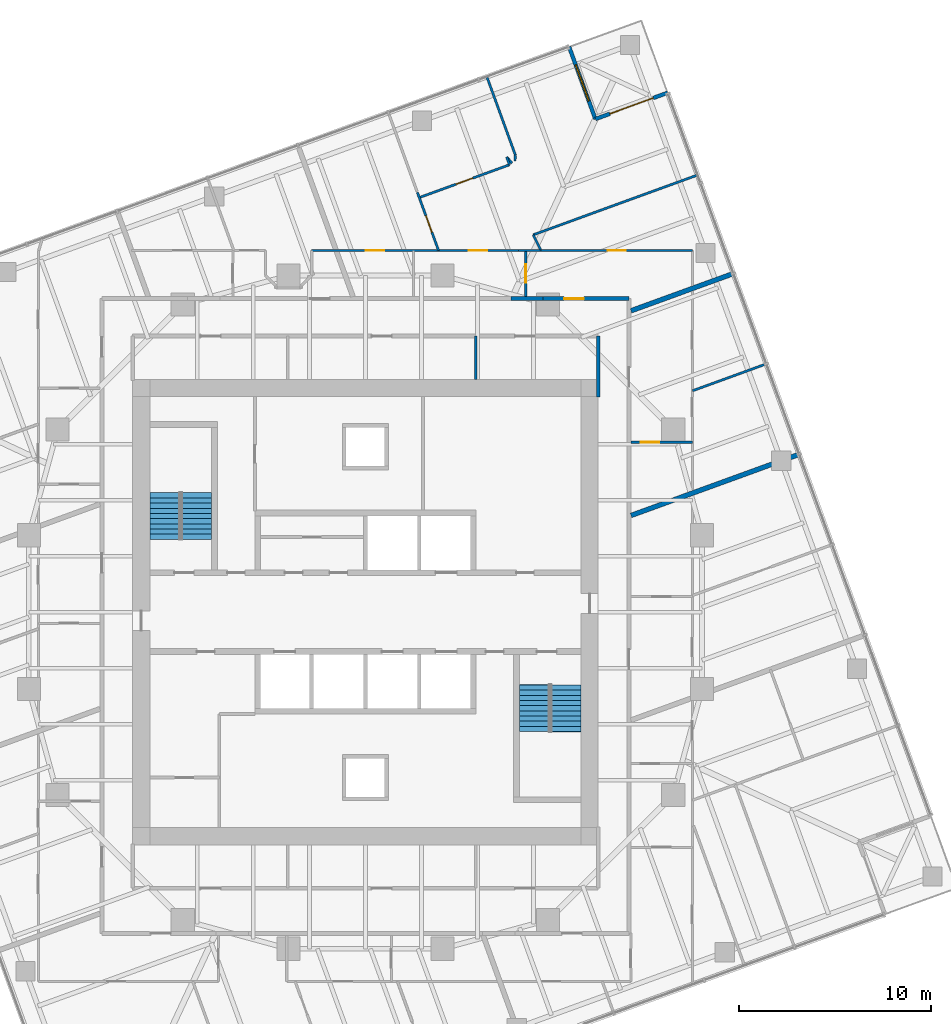
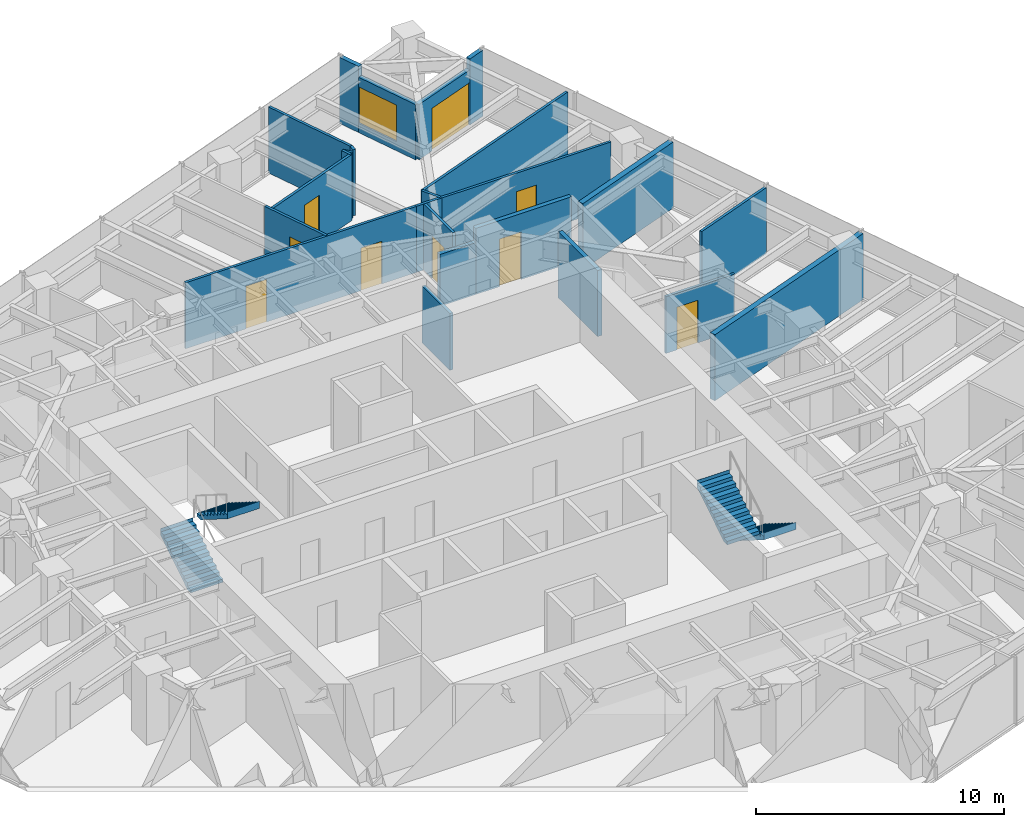
# One storey, part 12 of 13: 24 walls, 9 doors, 4 stair flights, 1 window, 10 openings, 2 elements without a shape of their own.
"""IFC4 building model written with IfcOpenShell, lengths in metres."""

from ifc_helpers import new_model, si_unit, direction, frame, frame_2d, origin, place, context, subcontext, project, spatial, polyline, rectangle, outline, extrude, material, layer, layer_set, type_object, element, fill, aggregate, save


model = new_model("IFC4")

# Units and contexts
model_context = context("Model", 3, precision=1e-05, world=origin(), true_north=direction((0.0, 1.0)))
body_context = subcontext(model_context, "Body", "Model", "MODEL_VIEW")
ifc_project = project(units=[si_unit("LENGTHUNIT", "METRE"), si_unit("AREAUNIT", "SQUARE_METRE"), si_unit("VOLUMEUNIT", "CUBIC_METRE"), si_unit("PLANEANGLEUNIT", "RADIAN"), si_unit("MASSUNIT", "GRAM", prefix="KILO")], contexts=[model_context])

# Site, building, storey
site_placement = place(None, origin())
site = spatial("IfcSite", under=ifc_project, at=site_placement, CompositionType="ELEMENT")
building_placement = place(site_placement, origin())
building = spatial("IfcBuilding", under=site, at=building_placement, Name="Torsade Residences", CompositionType="ELEMENT")
storey_placement = place(building_placement, frame((0.0, 0.0, 150.60009765625)))
storey = spatial("IfcBuildingStorey", under=building, at=storey_placement, Name="L41", CompositionType="ELEMENT", Elevation=150.60009765625)

# Wall, opening, door
ifc_material_1 = material(Name="Plasterboard on steel stud", Category="steel")
ifc_layer_1 = layer(ifc_material_1, 0.199951171875)
ifc_layer_set_1 = layer_set([ifc_layer_1], Name="Plasterboard on steel stud")
wall_type_1 = type_object("IfcWallType", Name="CORRIDOR WALL 200", PredefinedType="PARTITIONING", material=ifc_layer_set_1)
wall_1_placement = place(storey_placement, frame((53.699951171875, 46.300048828125, 0.0), z_axis=(0.0, 0.0, 1.0), x_axis=(-1.0, 0.0, 0.0)))
wall_1 = element("IfcWall", 1, at=wall_1_placement, inside=storey, type_object=wall_type_1, Name="Corridor wall L41", PredefinedType="PARTITIONING", context=body_context, shape_type="SweptSolid", body=[
    extrude(rectangle(XDim=4.458251953125, YDim=0.199951171875, at=frame_2d((2.22900390625, 0.0))), origin(), (0.0, 0.0, 1.0), 3.25),
])
opening_1_placement = place(wall_1_placement, frame((2.34716796875, 0.0, 0.0)))
opening_1 = element("IfcOpeningElement", 2, at=opening_1_placement, cuts=wall_1, Name="Opening D01", PredefinedType="OPENING", context=body_context, shape_type="SweptSolid", body=[
    extrude(rectangle(XDim=1.02001953125, YDim=2.340087890625, at=frame_2d((0.510009765625, 1.169921875))), frame((0.0, 0.10986328125, 0.0), z_axis=(0.0, -1.0, 0.0), x_axis=(1.0, 0.0, 0.0)), (0.0, 0.0, 1.0), 0.219970703125),
])
ifc_material_2 = material(Name="Solid-core timber fire door", Category="wood")
door_type_1 = type_object("IfcDoorType", Name="APARTMENT ENTRY DOOR 1020x2340", OperationType="NOTDEFINED", PredefinedType="DOOR", material=ifc_material_2)
door_1_placement = place(opening_1_placement, origin())
door_1 = element("IfcDoor", 3, at=door_1_placement, inside=storey, type_object=door_type_1, Name="Door Residential corridor to Kitchen and dining", OperationType="SINGLE_SWING_RIGHT", OverallHeight=2.340087890625, OverallWidth=1.02001953125, PredefinedType="DOOR", context=body_context, shape_type="SweptSolid", body=[
    extrude(rectangle(XDim=1.02001953125, YDim=2.340087890625, at=frame_2d((0.510009765625, 1.169921875))), frame((0.0, 0.02490234375, 0.0), z_axis=(0.0, -1.0, 0.0), x_axis=(1.0, 0.0, 0.0)), (0.0, 0.0, 1.0), 0.050048828125),
])
fill(opening_1, door_1)

# Walls
wall_2_placement = place(storey_placement, frame((49.24169921875, 46.300048828125, 0.0), z_axis=(0.0, 0.0, 1.0), x_axis=(-1.0, 0.0, 0.0)))
element("IfcWall", 4, at=wall_2_placement, inside=storey, type_object=wall_type_1, Name="Corridor wall L41", PredefinedType="PARTITIONING", context=body_context, shape_type="SweptSolid", body=[
    extrude(rectangle(XDim=1.683349609375, YDim=0.199951171875, at=frame_2d((0.841796875, 0.0))), origin(), (0.0, 0.0, 1.0), 2.5498046875),
])
wall_3_placement = place(storey_placement, frame((52.10009765625, 41.179931640625, 0.0), z_axis=(0.0, 0.0, 1.0), x_axis=(0.0, 1.0, 0.0)))
element("IfcWall", 5, at=wall_3_placement, inside=storey, type_object=wall_type_1, Name="Corridor wall L41", PredefinedType="PARTITIONING", context=body_context, shape_type="SweptSolid", body=[
    extrude(rectangle(XDim=3.170166015625, YDim=0.199951171875, at=frame_2d((1.5849609375, 0.0))), origin(), (0.0, 0.0, 1.0), 3.25),
])

# Wall, opening, door
ifc_material_3 = material(Name="Plasterboard on steel stud", Category="steel")
ifc_layer_2 = layer(ifc_material_3, 0.1201171875)
ifc_layer_set_2 = layer_set([ifc_layer_2], Name="Plasterboard on steel stud")
wall_type_2 = type_object("IfcWallType", Name="PARTITION 120", PredefinedType="PARTITIONING", material=ifc_layer_set_2)
wall_4_placement = place(storey_placement, frame((57.0, 38.834716796875, 0.0), z_axis=(0.0, 0.0, 1.0), x_axis=(-1.0, 0.0, 0.0)))
wall_4 = element("IfcWall", 6, at=wall_4_placement, inside=storey, type_object=wall_type_2, Name="Partition L41", PredefinedType="PARTITIONING", context=body_context, shape_type="SweptSolid", body=[
    extrude(rectangle(XDim=3.199951171875, YDim=0.1201171875, at=frame_2d((1.60009765625, 0.0))), origin(), (0.0, 0.0, 1.0), 2.7958984375),
])
opening_2_placement = place(wall_4_placement, frame((1.719970703125, 0.0, 0.0)))
opening_2 = element("IfcOpeningElement", 7, at=opening_2_placement, cuts=wall_4, Name="Opening D05", PredefinedType="OPENING", context=body_context, shape_type="SweptSolid", body=[
    extrude(rectangle(XDim=0.9599609375, YDim=2.10009765625, at=frame_2d((0.47998046875, 1.050048828125))), frame((0.0, 0.070068359375, 0.0), z_axis=(0.0, -1.0, 0.0), x_axis=(1.0, 0.0, 0.0)), (0.0, 0.0, 1.0), 0.14013671875),
])
ifc_material_4 = material(Name="Hollow-core timber door in a steel cavity frame", Category="steel")
door_type_2 = type_object("IfcDoorType", Name="BATHROOM CAVITY SLIDING DOOR 960", OperationType="SLIDING_TO_LEFT", PredefinedType="DOOR", material=ifc_material_4)
door_2_placement = place(opening_2_placement, origin())
door_2 = element("IfcDoor", 8, at=door_2_placement, inside=storey, type_object=door_type_2, Name="Door Kitchen and dining to Bathroom", OperationType="SLIDING_TO_LEFT", OverallHeight=2.10009765625, OverallWidth=0.9599609375, PredefinedType="DOOR", context=body_context, shape_type="SweptSolid", body=[
    extrude(rectangle(XDim=0.9599609375, YDim=2.10009765625, at=frame_2d((0.47998046875, 1.050048828125))), frame((0.0, 0.02490234375, 0.0), z_axis=(0.0, -1.0, 0.0), x_axis=(1.0, 0.0, 0.0)), (0.0, 0.0, 1.0), 0.050048828125),
])
fill(opening_2, door_2)

# Wall
wall_5_placement = place(storey_placement, frame((57.0, 41.50830078125, 0.0), z_axis=(0.0, 0.0, 1.0), x_axis=(0.939682468191, 0.342048036063, 0.0)))
element("IfcWall", 9, at=wall_5_placement, inside=storey, type_object=wall_type_2, Name="Partition L41", PredefinedType="PARTITIONING", context=body_context, shape_type="SweptSolid", body=[
    extrude(rectangle(XDim=4.049072265625, YDim=0.1201171875, at=frame_2d((2.0244140625, 0.0))), origin(), (0.0, 0.0, 1.0), 3.25),
])

# Wall, opening, door
wall_6_placement = place(storey_placement, frame((48.335693359375, 46.39990234375, 0.0), z_axis=(0.0, 0.0, 1.0), x_axis=(0.0, 1.0, 0.0)))
wall_6 = element("IfcWall", 10, at=wall_6_placement, inside=storey, type_object=wall_type_2, Name="Partition L41", PredefinedType="PARTITIONING", context=body_context, shape_type="SweptSolid", body=[
    extrude(rectangle(XDim=2.400146484375, YDim=0.1201171875, at=frame_2d((1.2001953125, 0.0))), origin(), (0.0, 0.0, 1.0), 3.25),
])
opening_3_placement = place(wall_6_placement, frame((0.719970703125, 0.0, 0.0)))
opening_3 = element("IfcOpeningElement", 11, at=opening_3_placement, cuts=wall_6, Name="Opening D05", PredefinedType="OPENING", context=body_context, shape_type="SweptSolid", body=[
    extrude(rectangle(XDim=0.9599609375, YDim=2.10009765625, at=frame_2d((0.47998046875, 1.050048828125))), frame((0.0, 0.070068359375, 0.0), z_axis=(0.0, -1.0, 0.0), x_axis=(1.0, 0.0, 0.0)), (0.0, 0.0, 1.0), 0.14013671875),
])
door_3_placement = place(opening_3_placement, origin())
door_3 = element("IfcDoor", 12, at=door_3_placement, inside=storey, type_object=door_type_2, Name="Door Kitchen and dining to Bathroom", OperationType="SLIDING_TO_LEFT", OverallHeight=2.10009765625, OverallWidth=0.9599609375, PredefinedType="DOOR", context=body_context, shape_type="SweptSolid", body=[
    extrude(rectangle(XDim=0.9599609375, YDim=2.10009765625, at=frame_2d((0.47998046875, 1.050048828125))), frame((0.0, 0.02490234375, 0.0), z_axis=(0.0, -1.0, 0.0), x_axis=(1.0, 0.0, 0.0)), (0.0, 0.0, 1.0), 0.050048828125),
])
fill(opening_3, door_3)

wall_7_placement = place(storey_placement, frame((49.125732421875, 48.800048828125, 0.0), z_axis=(0.0, 0.0, 1.0), x_axis=(1.0, 0.0, 0.0)))
wall_7 = element("IfcWall", 13, at=wall_7_placement, inside=storey, type_object=wall_type_2, Name="Partition L41", PredefinedType="PARTITIONING", context=body_context, shape_type="SweptSolid", body=[
    extrude(rectangle(XDim=7.874267578125, YDim=0.1201171875, at=frame_2d((3.93701171875, 0.0))), origin(), (0.0, 0.0, 1.0), 3.25),
])
opening_4_placement = place(wall_7_placement, frame((3.477294921875, 0.0, 0.0)))
opening_4 = element("IfcOpeningElement", 14, at=opening_4_placement, cuts=wall_7, Name="Opening D02", PredefinedType="OPENING", context=body_context, shape_type="SweptSolid", body=[
    extrude(rectangle(XDim=0.919921875, YDim=2.340087890625, at=frame_2d((0.4599609375, 1.169921875))), frame((0.0, 0.070068359375, 0.0), z_axis=(0.0, -1.0, 0.0), x_axis=(1.0, 0.0, 0.0)), (0.0, 0.0, 1.0), 0.14013671875),
])
ifc_material_5 = material(Name="Hollow-core timber door", Category="wood")
door_type_3 = type_object("IfcDoorType", Name="INTERNAL DOOR 920x2340", OperationType="NOTDEFINED", PredefinedType="DOOR", material=ifc_material_5)
door_4_placement = place(opening_4_placement, origin())
door_4 = element("IfcDoor", 15, at=door_4_placement, inside=storey, type_object=door_type_3, Name="Door Kitchen and dining to Bedroom 2", OperationType="SINGLE_SWING_RIGHT", OverallHeight=2.340087890625, OverallWidth=0.919921875, PredefinedType="DOOR", context=body_context, shape_type="SweptSolid", body=[
    extrude(rectangle(XDim=0.919921875, YDim=2.340087890625, at=frame_2d((0.4599609375, 1.169921875))), frame((0.0, 0.02490234375, 0.0), z_axis=(0.0, -1.0, 0.0), x_axis=(1.0, 0.0, 0.0)), (0.0, 0.0, 1.0), 0.050048828125),
])
fill(opening_4, door_4)

# Wall, openings, doors
wall_8_placement = place(storey_placement, frame((37.199951171875, 48.800048828125, 0.0), z_axis=(0.0, 0.0, 1.0), x_axis=(1.0, 0.0, 0.0)))
wall_8 = element("IfcWall", 16, at=wall_8_placement, inside=storey, type_object=wall_type_2, Name="Partition L41", PredefinedType="PARTITIONING", context=body_context, shape_type="SweptSolid", body=[
    extrude(rectangle(XDim=10.744873046875, YDim=0.1201171875, at=frame_2d((5.37255859375, 0.0))), origin(), (0.0, 0.0, 1.0), 3.25),
])
opening_5_placement = place(wall_8_placement, frame((8.165283203125, 0.0, 0.0)))
opening_5 = element("IfcOpeningElement", 17, at=opening_5_placement, cuts=wall_8, Name="Opening D05", PredefinedType="OPENING", context=body_context, shape_type="SweptSolid", body=[
    extrude(rectangle(XDim=0.9599609375, YDim=2.10009765625, at=frame_2d((0.47998046875, 1.050048828125))), frame((0.0, 0.070068359375, 0.0), z_axis=(0.0, -1.0, 0.0), x_axis=(1.0, 0.0, 0.0)), (0.0, 0.0, 1.0), 0.14013671875),
])
opening_6_placement = place(wall_8_placement, frame((2.8095703125, 0.0, 0.0)))
opening_6 = element("IfcOpeningElement", 18, at=opening_6_placement, cuts=wall_8, Name="Opening D05", PredefinedType="OPENING", context=body_context, shape_type="SweptSolid", body=[
    extrude(rectangle(XDim=0.9599609375, YDim=2.10009765625, at=frame_2d((0.47998046875, 1.050048828125))), frame((0.0, 0.070068359375, 0.0), z_axis=(0.0, -1.0, 0.0), x_axis=(1.0, 0.0, 0.0)), (0.0, 0.0, 1.0), 0.14013671875),
])
door_5_placement = place(opening_5_placement, origin())
door_5 = element("IfcDoor", 19, at=door_5_placement, inside=storey, type_object=door_type_2, Name="Door Bathroom to Living room", OperationType="SLIDING_TO_LEFT", OverallHeight=2.10009765625, OverallWidth=0.9599609375, PredefinedType="DOOR", context=body_context, shape_type="SweptSolid", body=[
    extrude(rectangle(XDim=0.9599609375, YDim=2.10009765625, at=frame_2d((0.47998046875, 1.050048828125))), frame((0.0, 0.02490234375, 0.0), z_axis=(0.0, -1.0, 0.0), x_axis=(1.0, 0.0, 0.0)), (0.0, 0.0, 1.0), 0.050048828125),
])
fill(opening_5, door_5)
door_6_placement = place(opening_6_placement, origin())
door_6 = element("IfcDoor", 20, at=door_6_placement, inside=storey, type_object=door_type_2, Name="Door Bedroom 1 to Ensuite", OperationType="SLIDING_TO_LEFT", OverallHeight=2.10009765625, OverallWidth=0.9599609375, PredefinedType="DOOR", context=body_context, shape_type="SweptSolid", body=[
    extrude(rectangle(XDim=0.9599609375, YDim=2.10009765625, at=frame_2d((0.47998046875, 1.050048828125))), frame((0.0, 0.02490234375, 0.0), z_axis=(0.0, -1.0, 0.0), x_axis=(1.0, 0.0, 0.0)), (0.0, 0.0, 1.0), 0.050048828125),
])
fill(opening_6, door_6)

# Wall, opening, door
wall_9_placement = place(storey_placement, frame((43.799072265625, 48.800048828125, 0.0), z_axis=(0.0, 0.0, 1.0), x_axis=(-0.342034943783, 0.939687233728, 0.0)))
wall_9 = element("IfcWall", 21, at=wall_9_placement, inside=storey, type_object=wall_type_2, Name="Partition L41", PredefinedType="PARTITIONING", context=body_context, shape_type="SweptSolid", body=[
    extrude(rectangle(XDim=3.223388671875, YDim=0.1201171875, at=frame_2d((1.61181640625, 0.0))), origin(), (0.0, 0.0, 1.0), 3.25),
])
opening_7_placement = place(wall_9_placement, frame((1.00390625, 0.0, 0.0)))
opening_7 = element("IfcOpeningElement", 22, at=opening_7_placement, cuts=wall_9, Name="Opening D02", PredefinedType="OPENING", context=body_context, shape_type="SweptSolid", body=[
    extrude(rectangle(XDim=0.919921875, YDim=2.340087890625, at=frame_2d((0.4599609375, 1.169921875))), frame((0.0, 0.070068359375, 0.0), z_axis=(0.0, -1.0, 0.0), x_axis=(1.0, 0.0, 0.0)), (0.0, 0.0, 1.0), 0.14013671875),
])
door_7_placement = place(opening_7_placement, origin())
door_7 = element("IfcDoor", 23, at=door_7_placement, inside=storey, type_object=door_type_3, Name="Door Living room to Bedroom 1", OperationType="SINGLE_SWING_LEFT", OverallHeight=2.340087890625, OverallWidth=0.919921875, PredefinedType="DOOR", context=body_context, shape_type="SweptSolid", body=[
    extrude(rectangle(XDim=0.919921875, YDim=2.340087890625, at=frame_2d((0.4599609375, 1.169921875))), frame((0.0, 0.02490234375, 0.0), z_axis=(0.0, -1.0, 0.0), x_axis=(1.0, 0.0, 0.0)), (0.0, 0.0, 1.0), 0.050048828125),
])
fill(opening_7, door_7)

# Walls
wall_10_placement = place(storey_placement, frame((57.230712890625, 52.713134765625, 0.0), z_axis=(0.0, 0.0, 1.0), x_axis=(-0.939692673089, -0.342019999623, 0.0)))
element("IfcWall", 24, at=wall_10_placement, inside=storey, type_object=wall_type_2, Name="Partition L41", PredefinedType="PARTITIONING", context=body_context, shape_type="SweptSolid", body=[
    extrude(rectangle(XDim=9.059814453125, YDim=0.1201171875, at=frame_2d((4.52978515625, 0.0))), origin(), (0.0, 0.0, 1.0), 3.25),
])
wall_11_placement = place(storey_placement, frame((48.71728515625, 49.614501953125, 0.0), z_axis=(0.0, 0.0, 1.0), x_axis=(0.448117513314, -0.893974660861, 0.0)))
element("IfcWall", 25, at=wall_11_placement, inside=storey, type_object=wall_type_2, Name="Partition L41", PredefinedType="PARTITIONING", context=body_context, shape_type="SweptSolid", body=[
    extrude(rectangle(XDim=0.864013671875, YDim=0.1201171875, at=frame_2d((0.43212890625, 0.0))), origin(), (0.0, 0.0, 1.0), 3.25),
])

# Wall, opening, door
wall_12_placement = place(storey_placement, frame((42.7978515625, 51.55126953125, 0.0), z_axis=(0.0, 0.0, 1.0), x_axis=(0.939699104319, 0.342002329438, 0.0)))
wall_12 = element("IfcWall", 26, at=wall_12_placement, inside=storey, type_object=wall_type_2, Name="Partition L41", PredefinedType="PARTITIONING", context=body_context, shape_type="SweptSolid", body=[
    extrude(rectangle(XDim=4.98974609375, YDim=0.1201171875, at=frame_2d((2.494873046875, 0.0))), origin(), (0.0, 0.0, 1.0), 3.25),
])
opening_8_placement = place(wall_12_placement, frame((2.034912109375, 0.0, 0.0)))
opening_8 = element("IfcOpeningElement", 27, at=opening_8_placement, cuts=wall_12, Name="Opening D02", PredefinedType="OPENING", context=body_context, shape_type="SweptSolid", body=[
    extrude(rectangle(XDim=0.919921875, YDim=2.340087890625, at=frame_2d((0.4599609375, 1.169921875))), frame((0.0, 0.070068359375, 0.0), z_axis=(0.0, -1.0, 0.0), x_axis=(1.0, 0.0, 0.0)), (0.0, 0.0, 1.0), 0.14013671875),
])
door_8_placement = place(opening_8_placement, origin())
door_8 = element("IfcDoor", 28, at=door_8_placement, inside=storey, type_object=door_type_3, Name="Door Living room to Bedroom 3", OperationType="SINGLE_SWING_RIGHT", OverallHeight=2.340087890625, OverallWidth=0.919921875, PredefinedType="DOOR", context=body_context, shape_type="SweptSolid", body=[
    extrude(rectangle(XDim=0.919921875, YDim=2.340087890625, at=frame_2d((0.4599609375, 1.169921875))), frame((0.0, 0.02490234375, 0.0), z_axis=(0.0, -1.0, 0.0), x_axis=(1.0, 0.0, 0.0)), (0.0, 0.0, 1.0), 0.050048828125),
])
fill(opening_8, door_8)

# Walls
for number, where, z_axis, x_axis, name in (
    (29, (47.48681640625, 53.2578125, 0.0), (0.0, 0.0, 1.0), (-0.341833643998, 0.939760480033, 0.0), "Partition L41"),
    (30, (47.343994140625, 53.66748046875, 0.0), (0.0, 0.0, 1.0), (0.638629337621, -0.769514502222, 0.0), "Partition L41"),
):
    element("IfcWall", number, at=place(storey_placement, frame(where, z_axis=z_axis, x_axis=x_axis)), inside=storey, type_object=wall_type_2, Name=name, PredefinedType="PARTITIONING", context=body_context, shape_type="SweptSolid", body=[
        extrude(rectangle(XDim=0.432861328125, YDim=0.1201171875, at=frame_2d((0.21630859375, 0.0))), origin(), (0.0, 0.0, 1.0), 3.25),
    ])
wall_13_placement = place(storey_placement, frame((47.768798828125, 53.457763671875, 0.0), z_axis=(0.0, 0.0, 1.0), x_axis=(0.093212941297, 0.995646195983, 0.0)))
element("IfcWall", 31, at=wall_13_placement, inside=storey, type_object=wall_type_2, Name="Partition L41", PredefinedType="PARTITIONING", context=body_context, shape_type="SweptSolid", body=[
    extrude(rectangle(XDim=0.2958984375, YDim=0.1201171875, at=frame_2d((0.14794921875, 0.0))), origin(), (0.0, 0.0, 1.0), 3.25),
])
wall_14_placement = place(storey_placement, frame((47.79638671875, 53.75244140625, 0.0), z_axis=(0.0, 0.0, 1.0), x_axis=(-0.342011603146, 0.939695729113, 0.0)))
element("IfcWall", 32, at=wall_14_placement, inside=storey, type_object=wall_type_2, Name="Partition L41", PredefinedType="PARTITIONING", context=body_context, shape_type="SweptSolid", body=[
    extrude(rectangle(XDim=4.306640625, YDim=0.1201171875, at=frame_2d((2.1533203125, 0.0))), origin(), (0.0, 0.0, 1.0), 3.25),
])
wall_15_placement = place(storey_placement, frame((49.125732421875, 48.800048828125, 0.0), z_axis=(0.0, 0.0, 1.0), x_axis=(-1.0, 0.0, 0.0)))
element("IfcWall", 33, at=wall_15_placement, inside=storey, type_object=wall_type_2, Name="Partition L41", PredefinedType="PARTITIONING", context=body_context, shape_type="SweptSolid", body=[
    extrude(rectangle(XDim=1.180908203125, YDim=0.1201171875, at=frame_2d((0.59033203125, 0.0))), origin(), (0.0, 0.0, 1.0), 3.25),
])
ifc_material_6 = material(Name="Masonry-lined stud party wall", Category="masonry")
ifc_layer_3 = layer(ifc_material_6, 0.25)
ifc_layer_set_3 = layer_set([ifc_layer_3], Name="Masonry-lined stud party wall")
wall_type_3 = type_object("IfcWallType", Name="PARTY WALL 250", PredefinedType="PARTITIONING", material=ifc_layer_set_3)
wall_16_placement = place(storey_placement, frame((62.552734375, 38.20849609375, 0.0), z_axis=(0.0, 0.0, 1.0), x_axis=(-0.939693071685, -0.342018904489, 0.0)))
element("IfcWall", 34, at=wall_16_placement, inside=storey, type_object=wall_type_3, Name="Party wall L41", PredefinedType="PARTITIONING", context=body_context, shape_type="SweptSolid", body=[
    extrude(rectangle(XDim=9.308837890625, YDim=0.25, at=frame_2d((4.654296875, 0.0))), origin(), (0.0, 0.0, 1.0), 3.25),
])
wall_17_placement = place(storey_placement, frame((59.13232421875, 47.60546875, 0.0), z_axis=(0.0, 0.0, 1.0), x_axis=(-0.939690274876, -0.342026588591, 0.0)))
element("IfcWall", 35, at=wall_17_placement, inside=storey, type_object=wall_type_3, Name="Party wall L41", PredefinedType="PARTITIONING", context=body_context, shape_type="SweptSolid", body=[
    extrude(rectangle(XDim=5.6689453125, YDim=0.25, at=frame_2d((2.83447265625, 0.0))), origin(), (0.0, 0.0, 1.0), 3.25),
])
ifc_material_7 = material(Name="Reinforced blockwork", Category="masonry")
ifc_layer_4 = layer(ifc_material_7, 0.14990234375)
ifc_layer_set_4 = layer_set([ifc_layer_4], Name="Reinforced blockwork")
wall_type_4 = type_object("IfcWallType", Name="SERVICE ROOM WALL 150", PredefinedType="SOLIDWALL", material=ifc_layer_set_4)
wall_18_placement = place(storey_placement, frame((45.7353515625, 42.10009765625, 0.0), z_axis=(0.0, 0.0, 1.0), x_axis=(0.0, 1.0, 0.0)))
element("IfcWall", 36, at=wall_18_placement, inside=storey, type_object=wall_type_4, Name="Service room wall L41", PredefinedType="SOLIDWALL", context=body_context, shape_type="SweptSolid", body=[
    extrude(rectangle(XDim=2.25, YDim=0.14990234375, at=frame_2d((1.125, 0.0))), origin(), (0.0, 0.0, 1.0), 2.7958984375),
])
ifc_material_8 = material(Name="Stone-faced precast concrete 40 MPa panel", Category="masonry")
ifc_layer_5 = layer(ifc_material_8, 0.199951171875)
ifc_layer_set_5 = layer_set([ifc_layer_5], Name="Stone-faced precast concrete 40 MPa panel")
wall_type_5 = type_object("IfcWallType", Name="TERRACE WALL 200", PredefinedType="SOLIDWALL", material=ifc_layer_set_5)
wall_19_placement = place(storey_placement, frame((55.712158203125, 57.00244140625, 0.0), z_axis=(0.0, 0.0, 1.0), x_axis=(-0.939659694648, -0.342110593602, 0.0)))
element("IfcWall", 37, at=wall_19_placement, inside=storey, type_object=wall_type_5, Name="Terrace wall L41 5", PredefinedType="SOLIDWALL", context=body_context, shape_type="SweptSolid", body=[
    extrude(rectangle(XDim=0.800048828125, YDim=0.199951171875, at=frame_2d((0.39990234375, 0.0))), origin(), (0.0, 0.0, 1.0), 3.25),
])

# Wall, opening, door
wall_20_placement = place(storey_placement, frame((54.96044921875, 56.728759765625, 0.0), z_axis=(0.0, 0.0, 1.0), x_axis=(-0.939693144909, -0.342018703306, 0.0)))
wall_20 = element("IfcWall", 38, at=wall_20_placement, inside=storey, type_object=wall_type_5, Name="Terrace wall L41 5", PredefinedType="SOLIDWALL", context=body_context, shape_type="SweptSolid", body=[
    extrude(rectangle(XDim=3.199951171875, YDim=0.199951171875, at=frame_2d((1.60009765625, 0.0))), origin(), (0.0, 0.0, 1.0), 2.721923828125),
])
opening_9_placement = place(wall_20_placement, origin())
opening_9 = element("IfcOpeningElement", 39, at=opening_9_placement, cuts=wall_20, Name="Opening D10A", PredefinedType="OPENING", context=body_context, shape_type="SweptSolid", body=[
    extrude(rectangle(XDim=2.39990234375, YDim=2.10009765625, at=frame_2d((1.199951171875, 1.050048828125))), frame((0.0, 0.10986328125, 0.0), z_axis=(0.0, -1.0, 0.0), x_axis=(1.0, 0.0, 0.0)), (0.0, 0.0, 1.0), 0.219970703125),
])
ifc_material_9 = material(Name="Aluminium-framed glass door", Category="aluminium")
door_type_4 = type_object("IfcDoorType", Name="TERRACE SLIDING DOOR 2400x2100", OperationType="SLIDING_TO_LEFT", PredefinedType="DOOR", material=ifc_material_9)
door_9_placement = place(opening_9_placement, origin())
door_9 = element("IfcDoor", 40, at=door_9_placement, inside=storey, type_object=door_type_4, Name="Terrace door L41 5", OperationType="SLIDING_TO_LEFT", OverallHeight=2.10009765625, OverallWidth=2.39990234375, PredefinedType="DOOR", context=body_context, shape_type="SweptSolid", body=[
    extrude(rectangle(XDim=2.39990234375, YDim=2.10009765625, at=frame_2d((1.199951171875, 1.050048828125))), frame((0.0, 0.02490234375, 0.0), z_axis=(0.0, -1.0, 0.0), x_axis=(1.0, 0.0, 0.0)), (0.0, 0.0, 1.0), 0.050048828125),
])
fill(opening_9, door_9)

# Wall, opening, window
wall_21_placement = place(storey_placement, frame((51.953369140625, 55.63427734375, 0.0), z_axis=(0.0, 0.0, 1.0), x_axis=(-0.341965219194, 0.939712609717, 0.0)))
wall_21 = element("IfcWall", 41, at=wall_21_placement, inside=storey, type_object=wall_type_5, Name="Terrace wall L41 6", PredefinedType="SOLIDWALL", context=body_context, shape_type="SweptSolid", body=[
    extrude(rectangle(XDim=3.0, YDim=0.199951171875, at=frame_2d((1.5, 0.0))), origin(), (0.0, 0.0, 1.0), 2.721923828125),
])
opening_10_placement = place(wall_21_placement, frame((1.0, 0.0, 0.449951171875)))
opening_10 = element("IfcOpeningElement", 42, at=opening_10_placement, cuts=wall_21, Name="Opening W1B", PredefinedType="OPENING", context=body_context, shape_type="SweptSolid", body=[
    extrude(rectangle(XDim=2.0, YDim=1.800048828125, at=frame_2d((1.0, 0.89990234375))), frame((0.0, 0.10986328125, 0.0), z_axis=(0.0, -1.0, 0.0), x_axis=(1.0, 0.0, 0.0)), (0.0, 0.0, 1.0), 0.219970703125),
])
ifc_material_10 = material(Name="Aluminium-framed glass window", Category="aluminium")
window_type = type_object("IfcWindowType", Name="TERRACE WINDOW 2000x1800", PartitioningType="SINGLE_PANEL", PredefinedType="WINDOW", material=ifc_material_10)
window_placement = place(opening_10_placement, origin())
window = element("IfcWindow", 43, at=window_placement, inside=storey, type_object=window_type, Name="Terrace window L41 6", OverallHeight=1.800048828125, OverallWidth=2.0, PartitioningType="SINGLE_PANEL", PredefinedType="WINDOW", context=body_context, shape_type="SweptSolid", body=[
    extrude(rectangle(XDim=2.0, YDim=1.800048828125, at=frame_2d((1.0, 0.89990234375))), frame((0.0, 0.030029296875, 0.0), z_axis=(0.0, -1.0, 0.0), x_axis=(1.0, 0.0, 0.0)), (0.0, 0.0, 1.0), 0.06005859375),
])
fill(opening_10, window)

# Wall
wall_22_placement = place(storey_placement, frame((50.927490234375, 58.453369140625, 0.0), z_axis=(0.0, 0.0, 1.0), x_axis=(-0.342037080957, 0.939686455819, 0.0)))
element("IfcWall", 44, at=wall_22_placement, inside=storey, type_object=wall_type_5, Name="Terrace wall L41 6", PredefinedType="SOLIDWALL", context=body_context, shape_type="SweptSolid", body=[
    extrude(rectangle(XDim=1.0, YDim=0.199951171875, at=frame_2d((0.5, 0.0))), origin(), (0.0, 0.0, 1.0), 3.25),
])

# Stair, stair flights
ifc_material_11 = material(Name="Precast concrete 40 MPa", Category="concrete")
stair_type = type_object("IfcStairType", Name="HALF-TURN FIRE STAIR 1500x3400", PredefinedType="HALF_TURN_STAIR", material=ifc_material_11)
stair_1_placement = place(storey_placement, origin())
stair_1 = element("IfcStair", 45, at=stair_1_placement, inside=storey, type_object=stair_type, Name="Stair ST1 L41", PredefinedType="HALF_TURN_STAIR")
ifc_material_12 = material(Name="Precast concrete 40 MPa", Category="concrete")
stair_flight_type = type_object("IfcStairFlightType", Name="PRECAST STAIR FLIGHT 1500x1700", PredefinedType="STRAIGHT", material=ifc_material_12)
stair_flight_1_placement = place(storey_placement, frame((29.550048828125, 33.780029296875, 0.0), z_axis=(0.0, 0.0, 1.0), x_axis=(0.0, 1.0, 0.0)))
stair_flight_1 = element("IfcStairFlight", 46, at=stair_flight_1_placement, type_object=stair_flight_type, Name="ST1 flight 1", NumberOfRisers=10, NumberOfTreads=9, PredefinedType="STRAIGHT", RiserHeight=0.17, TreadLength=0.27, context=body_context, shape_type="SweptSolid", body=[
    extrude(outline(polyline([(0.0, 0.0), (0.0, 0.169921875), (0.27001953125, 0.169921875), (0.27001953125, 0.340087890625), (0.5400390625, 0.340087890625), (0.5400390625, 0.510009765625), (0.81005859375, 0.510009765625), (0.81005859375, 0.679931640625), (1.080078125, 0.679931640625), (1.080078125, 0.85009765625), (1.35009765625, 0.85009765625), (1.35009765625, 1.02001953125), (1.6201171875, 1.02001953125), (1.6201171875, 1.18994140625), (1.889892578125, 1.18994140625), (1.889892578125, 1.360107421875), (2.159912109375, 1.360107421875), (2.159912109375, 1.530029296875), (2.429931640625, 1.530029296875), (2.429931640625, 1.699951171875), (2.43994140625, 1.699951171875), (2.43994140625, 1.352783203125), (2.429931640625, 1.352783203125), (0.28125, 0.0), (0.0, 0.0)])), frame((0.0, 0.75, 0.0), z_axis=(0.0, -1.0, 0.0), x_axis=(1.0, 0.0, 0.0)), (0.0, 0.0, 1.0), 1.5),
])
stair_flight_2_placement = place(storey_placement, frame((31.25, 36.2099609375, 1.699951171875), z_axis=(0.0, 0.0, 1.0), x_axis=(0.0, -1.0, 0.0)))
stair_flight_2 = element("IfcStairFlight", 47, at=stair_flight_2_placement, type_object=stair_flight_type, Name="ST1 flight 2", NumberOfRisers=10, NumberOfTreads=9, PredefinedType="STRAIGHT", RiserHeight=0.17, TreadLength=0.27, context=body_context, shape_type="SweptSolid", body=[
    extrude(outline(polyline([(0.0, 0.0), (0.0, 0.169921875), (0.27001953125, 0.169921875), (0.27001953125, 0.340087890625), (0.5400390625, 0.340087890625), (0.5400390625, 0.510009765625), (0.81005859375, 0.510009765625), (0.81005859375, 0.679931640625), (1.080078125, 0.679931640625), (1.080078125, 0.85009765625), (1.35009765625, 0.85009765625), (1.35009765625, 1.02001953125), (1.6201171875, 1.02001953125), (1.6201171875, 1.18994140625), (1.889892578125, 1.18994140625), (1.889892578125, 1.360107421875), (2.159912109375, 1.360107421875), (2.159912109375, 1.530029296875), (2.429931640625, 1.530029296875), (2.429931640625, 1.699951171875), (2.43994140625, 1.699951171875), (2.43994140625, 1.352783203125), (2.429931640625, 1.352783203125), (0.28125, 0.0), (0.0, 0.0)])), frame((0.0, 0.75, 0.0), z_axis=(0.0, -1.0, 0.0), x_axis=(1.0, 0.0, 0.0)), (0.0, 0.0, 1.0), 1.5),
])
aggregate(stair_1, [stair_flight_1, stair_flight_2])

stair_2_placement = place(storey_placement, origin())
stair_2 = element("IfcStair", 48, at=stair_2_placement, inside=storey, type_object=stair_type, Name="Stair ST2 L41", PredefinedType="HALF_TURN_STAIR")
stair_flight_3_placement = place(storey_placement, frame((50.449951171875, 26.219970703125, 0.0), z_axis=(0.0, 0.0, 1.0), x_axis=(0.0, -1.0, 0.0)))
stair_flight_3 = element("IfcStairFlight", 49, at=stair_flight_3_placement, type_object=stair_flight_type, Name="ST2 flight 1", NumberOfRisers=10, NumberOfTreads=9, PredefinedType="STRAIGHT", RiserHeight=0.17, TreadLength=0.27, context=body_context, shape_type="SweptSolid", body=[
    extrude(outline(polyline([(0.0, 0.0), (0.0, 0.169921875), (0.27001953125, 0.169921875), (0.27001953125, 0.340087890625), (0.5400390625, 0.340087890625), (0.5400390625, 0.510009765625), (0.81005859375, 0.510009765625), (0.81005859375, 0.679931640625), (1.080078125, 0.679931640625), (1.080078125, 0.85009765625), (1.35009765625, 0.85009765625), (1.35009765625, 1.02001953125), (1.6201171875, 1.02001953125), (1.6201171875, 1.18994140625), (1.889892578125, 1.18994140625), (1.889892578125, 1.360107421875), (2.159912109375, 1.360107421875), (2.159912109375, 1.530029296875), (2.429931640625, 1.530029296875), (2.429931640625, 1.699951171875), (2.43994140625, 1.699951171875), (2.43994140625, 1.352783203125), (2.429931640625, 1.352783203125), (0.28125, 0.0), (0.0, 0.0)])), frame((0.0, 0.75, 0.0), z_axis=(0.0, -1.0, 0.0), x_axis=(1.0, 0.0, 0.0)), (0.0, 0.0, 1.0), 1.5),
])
stair_flight_4_placement = place(storey_placement, frame((48.75, 23.7900390625, 1.699951171875), z_axis=(0.0, 0.0, 1.0), x_axis=(0.0, 1.0, 0.0)))
stair_flight_4 = element("IfcStairFlight", 50, at=stair_flight_4_placement, type_object=stair_flight_type, Name="ST2 flight 2", NumberOfRisers=10, NumberOfTreads=9, PredefinedType="STRAIGHT", RiserHeight=0.17, TreadLength=0.27, context=body_context, shape_type="SweptSolid", body=[
    extrude(outline(polyline([(0.0, 0.0), (0.0, 0.169921875), (0.27001953125, 0.169921875), (0.27001953125, 0.340087890625), (0.5400390625, 0.340087890625), (0.5400390625, 0.510009765625), (0.81005859375, 0.510009765625), (0.81005859375, 0.679931640625), (1.080078125, 0.679931640625), (1.080078125, 0.85009765625), (1.35009765625, 0.85009765625), (1.35009765625, 1.02001953125), (1.6201171875, 1.02001953125), (1.6201171875, 1.18994140625), (1.889892578125, 1.18994140625), (1.889892578125, 1.360107421875), (2.159912109375, 1.360107421875), (2.159912109375, 1.530029296875), (2.429931640625, 1.530029296875), (2.429931640625, 1.699951171875), (2.43994140625, 1.699951171875), (2.43994140625, 1.352783203125), (2.429931640625, 1.352783203125), (0.28125, 0.0), (0.0, 0.0)])), frame((0.0, 0.75, 0.0), z_axis=(0.0, -1.0, 0.0), x_axis=(1.0, 0.0, 0.0)), (0.0, 0.0, 1.0), 1.5),
])
aggregate(stair_2, [stair_flight_3, stair_flight_4])

save(model, "model.ifc")
